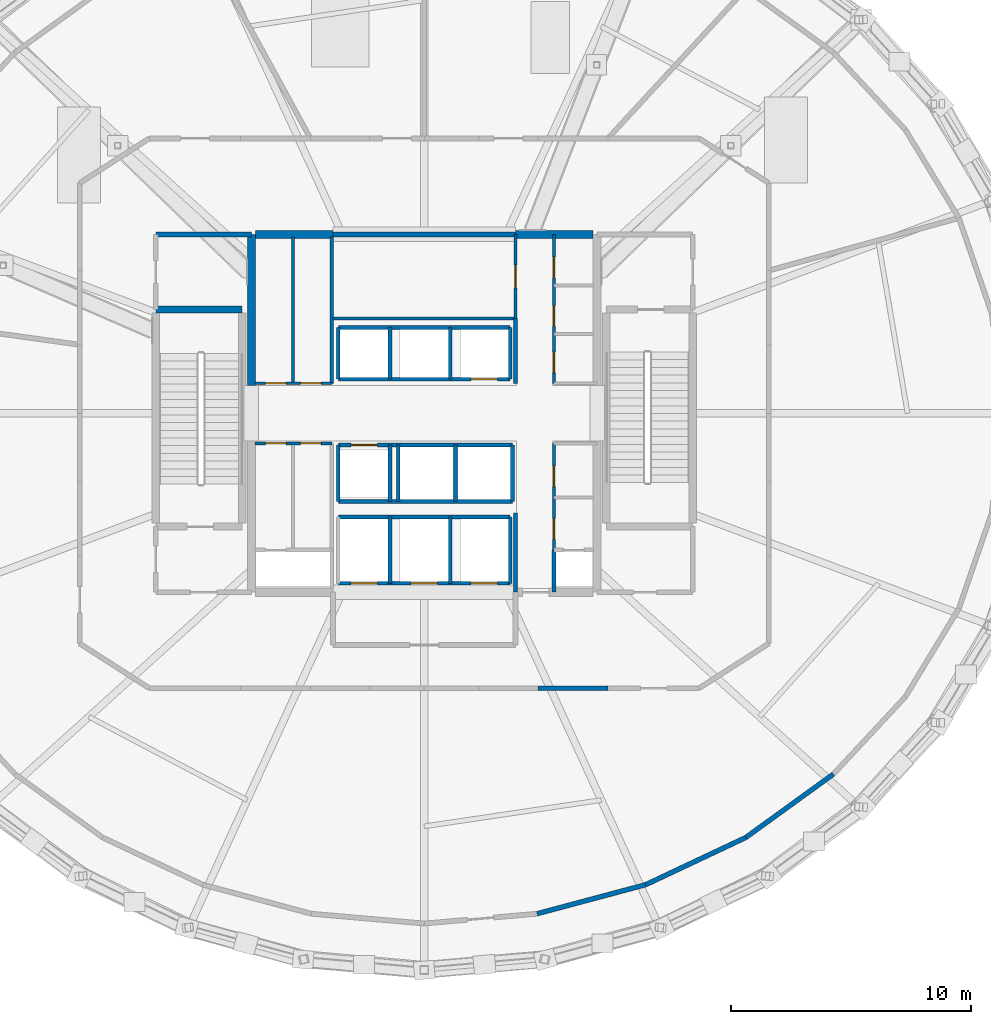
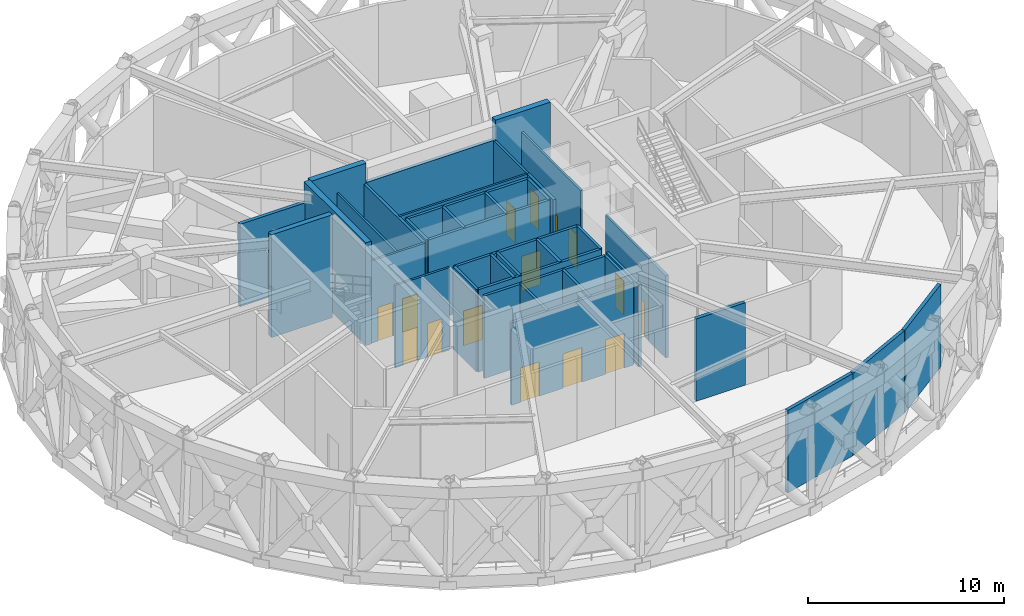
# One storey, part 9 of 15: 39 walls, 15 doors, 15 openings.
"""IFC4 building model written with IfcOpenShell, lengths in metres."""

from ifc_helpers import new_model, si_unit, direction, frame, frame_2d, origin, place, context, subcontext, project, spatial, rectangle, extrude, material, layer, layer_set, type_object, element, fill, save


model = new_model("IFC4")

# Units and contexts
model_context = context("Model", 3, precision=1e-05, world=origin(), true_north=direction((0.0, 1.0)))
body_context = subcontext(model_context, "Body", "Model", "MODEL_VIEW")
ifc_project = project(units=[si_unit("LENGTHUNIT", "METRE"), si_unit("AREAUNIT", "SQUARE_METRE"), si_unit("VOLUMEUNIT", "CUBIC_METRE"), si_unit("PLANEANGLEUNIT", "RADIAN"), si_unit("MASSUNIT", "GRAM", prefix="KILO")], contexts=[model_context])

# Site, building, storey
site_placement = place(None, origin())
site = spatial("IfcSite", under=ifc_project, at=site_placement, CompositionType="ELEMENT")
building_placement = place(site_placement, origin())
building = spatial("IfcBuilding", under=site, at=building_placement, Name="Veldorina Hangang Commons", CompositionType="ELEMENT")
storey_placement = place(building_placement, frame((0.0, 0.0, 208.39990234375)))
storey = spatial("IfcBuildingStorey", under=building, at=storey_placement, Name="L54", CompositionType="ELEMENT", Elevation=208.39990234375)

# Walls
ifc_material_1 = material(Name="Concrete C60/75", Category="concrete")
ifc_layer_1 = layer(ifc_material_1, 0.340087890625)
ifc_layer_set_1 = layer_set([ifc_layer_1], Name="Concrete C60/75")
wall_type_1 = type_object("IfcWallType", Name="CW-RC340-C60", PredefinedType="SHEAR", material=ifc_layer_set_1)
wall_1_placement = place(storey_placement, frame((24.800048828125, 25.14990234375, 0.0), z_axis=(0.0, 0.0, 1.0), x_axis=(0.0, 1.0, 0.0)))
element("IfcWall", 1, at=wall_1_placement, inside=storey, type_object=wall_type_1, Name="L54 W north core shear wall", PredefinedType="SHEAR", context=body_context, shape_type="SweptSolid", body=[
    extrude(rectangle(XDim=6.300048828125, YDim=0.340087890625, at=frame_2d((3.14990234375, 0.0))), origin(), (0.0, 0.0, 1.0), 6.400146484375),
])
for number, where, z_axis, x_axis, name in (
    (2, (24.969970703125, 31.449951171875, 0.0), (0.0, 0.0, 1.0), (1.0, 0.0, 0.0), "L54 north-west core shear wall"),
    (3, (35.800048828125, 31.449951171875, 0.0), (0.0, 0.0, 1.0), (1.0, 0.0, 0.0), "L54 north-east core shear wall"),
):
    element("IfcWall", number, at=place(storey_placement, frame(where, z_axis=z_axis, x_axis=x_axis)), inside=storey, type_object=wall_type_1, Name=name, PredefinedType="SHEAR", context=body_context, shape_type="SweptSolid", body=[
        extrude(rectangle(XDim=3.22998046875, YDim=0.340087890625, at=frame_2d((1.614990234375, 0.0))), origin(), (0.0, 0.0, 1.0), 6.400146484375),
    ])
ifc_material_2 = material(Name="Concrete C50/60", Category="concrete")
ifc_layer_2 = layer(ifc_material_2, 0.300048828125)
ifc_layer_set_2 = layer_set([ifc_layer_2], Name="Concrete C50/60")
wall_type_2 = type_object("IfcWallType", Name="SW-STAIR-300", PredefinedType="SHEAR", material=ifc_layer_set_2)
wall_2_placement = place(storey_placement, frame((20.820068359375, 28.320068359375, 0.0), z_axis=(0.0, 0.0, 1.0), x_axis=(1.0, 0.0, 0.0)))
element("IfcWall", 4, at=wall_2_placement, inside=storey, type_object=wall_type_2, Name="L54 ST1 north stair shear wall", PredefinedType="SHEAR", context=body_context, shape_type="SweptSolid", body=[
    extrude(rectangle(XDim=3.599853515625, YDim=0.300048828125, at=frame_2d((1.7998046875, 0.0))), origin(), (0.0, 0.0, 1.0), 6.400146484375),
])
ifc_material_3 = material(Name="Gypsum Fire-Rated Twin Stud Wall", Category="gypsum")
ifc_layer_3 = layer(ifc_material_3, 0.159912109375)
ifc_layer_set_3 = layer_set([ifc_layer_3], Name="Gypsum Fire-Rated Twin Stud Wall")
wall_type_3 = type_object("IfcWallType", Name="WL-FIRE-160", PredefinedType="SOLIDWALL", material=ifc_layer_set_3)
wall_3_placement = place(storey_placement, frame((35.800048828125, 16.550048828125, 0.0), z_axis=(0.0, 0.0, 1.0), x_axis=(0.0, 1.0, 0.0)))
element("IfcWall", 5, at=wall_3_placement, inside=storey, type_object=wall_type_3, Name="L54 Lift passage SW wall 009", PredefinedType="SOLIDWALL", context=body_context, shape_type="SweptSolid", body=[
    extrude(rectangle(XDim=3.300048828125, YDim=0.159912109375, at=frame_2d((1.64990234375, 0.0))), origin(), (0.0, 0.0, 1.0), 5.130126953125),
])
wall_4_placement = place(storey_placement, frame((37.39990234375, 16.550048828125, 0.0), z_axis=(0.0, 0.0, 1.0), x_axis=(0.0, 1.0, 0.0)))
element("IfcWall", 6, at=wall_4_placement, inside=storey, type_object=wall_type_3, Name="L54 Lift passage SE stub 010", PredefinedType="SOLIDWALL", context=body_context, shape_type="SweptSolid", body=[
    extrude(rectangle(XDim=1.75, YDim=0.159912109375, at=frame_2d((0.875, 0.0))), origin(), (0.0, 0.0, 1.0), 5.130126953125),
])
wall_5_placement = place(storey_placement, frame((35.800048828125, 25.25, 0.0), z_axis=(0.0, 0.0, 1.0), x_axis=(0.0, 1.0, 0.0)))
element("IfcWall", 7, at=wall_5_placement, inside=storey, type_object=wall_type_3, Name="L54 Lift passage NW lower wall 011", PredefinedType="SOLIDWALL", context=body_context, shape_type="SweptSolid", body=[
    extrude(rectangle(XDim=2.699951171875, YDim=0.159912109375, at=frame_2d((1.35009765625, 0.0))), origin(), (0.0, 0.0, 1.0), 5.130126953125),
])

# Wall, opening, door
wall_6_placement = place(storey_placement, frame((28.419921875, 25.419921875, 0.0), z_axis=(0.0, 0.0, 1.0), x_axis=(1.0, 0.0, 0.0)))
wall_6 = element("IfcWall", 8, at=wall_6_placement, inside=storey, type_object=wall_type_3, Name="L54 Mid-high front shaft wall 015", PredefinedType="SOLIDWALL", context=body_context, shape_type="SweptSolid", body=[
    extrude(rectangle(XDim=7.16015625, YDim=0.159912109375, at=frame_2d((3.580078125, 0.0))), origin(), (0.0, 0.0, 1.0), 5.130126953125),
])
opening_1_placement = place(wall_6_placement, frame((5.530029296875, 0.0, 0.0)))
opening_1 = element("IfcOpeningElement", 9, at=opening_1_placement, cuts=wall_6, Name="Opening LD-01", PredefinedType="OPENING", context=body_context, shape_type="SweptSolid", body=[
    extrude(rectangle(XDim=1.10009765625, YDim=2.14990234375, at=frame_2d((0.550048828125, 1.074951171875))), frame((0.0, 0.08984375, 0.0), z_axis=(0.0, -1.0, 0.0), x_axis=(1.0, 0.0, 0.0)), (0.0, 0.0, 1.0), 0.179931640625),
])
ifc_material_4 = material(Name="Stainless Steel Brushed Lift Door", Category="steel")
door_type_1 = type_object("IfcDoorType", Name="DR-LIFT-1100", OperationType="SLIDING_TO_LEFT", PredefinedType="DOOR", material=ifc_material_4)
door_1_placement = place(opening_1_placement, origin())
door_1 = element("IfcDoor", 10, at=door_1_placement, inside=storey, type_object=door_type_1, Name="L54 Lift PL-H1 landing door 007", OperationType="SLIDING_TO_RIGHT", OverallHeight=2.14990234375, OverallWidth=1.10009765625, PredefinedType="DOOR", context=body_context, shape_type="SweptSolid", body=[
    extrude(rectangle(XDim=1.10009765625, YDim=2.14990234375, at=frame_2d((0.550048828125, 1.074951171875))), frame((0.0, 0.02490234375, 0.0), z_axis=(0.0, -1.0, 0.0), x_axis=(1.0, 0.0, 0.0)), (0.0, 0.0, 1.0), 0.050048828125),
])
fill(opening_1, door_1)

# Walls
wall_7_placement = place(storey_placement, frame((28.419921875, 27.580078125, 0.0), z_axis=(0.0, 0.0, 1.0), x_axis=(1.0, 0.0, 0.0)))
element("IfcWall", 11, at=wall_7_placement, inside=storey, type_object=wall_type_3, Name="L54 Mid-high rear shaft wall 016", PredefinedType="SOLIDWALL", context=body_context, shape_type="SweptSolid", body=[
    extrude(rectangle(XDim=7.16015625, YDim=0.159912109375, at=frame_2d((3.580078125, 0.0))), origin(), (0.0, 0.0, 1.0), 5.130126953125),
])
for number, where, z_axis, x_axis, name in (
    (12, (28.419921875, 25.419921875, 0.0), (0.0, 0.0, 1.0), (0.0, 1.0, 0.0), "L54 PL-M1 west shaft wall 017"),
    (13, (30.580078125, 25.419921875, 0.0), (0.0, 0.0, 1.0), (0.0, 1.0, 0.0), "L54 PL-M1 east shaft wall 018"),
    (14, (33.080078125, 25.419921875, 0.0), (0.0, 0.0, 1.0), (0.0, 1.0, 0.0), "L54 PL-M2 east shaft wall 019"),
    (15, (35.580078125, 25.419921875, 0.0), (0.0, 0.0, 1.0), (0.0, 1.0, 0.0), "L54 PL-H1 east shaft wall 020"),
):
    element("IfcWall", number, at=place(storey_placement, frame(where, z_axis=z_axis, x_axis=x_axis)), inside=storey, type_object=wall_type_3, Name=name, PredefinedType="SOLIDWALL", context=body_context, shape_type="SweptSolid", body=[
        extrude(rectangle(XDim=2.16015625, YDim=0.159912109375, at=frame_2d((1.080078125, 0.0))), origin(), (0.0, 0.0, 1.0), 5.130126953125),
    ])

# Wall, opening, door
wall_8_placement = place(storey_placement, frame((28.419921875, 22.679931640625, 0.0), z_axis=(0.0, 0.0, 1.0), x_axis=(1.0, 0.0, 0.0)))
wall_8 = element("IfcWall", 16, at=wall_8_placement, inside=storey, type_object=wall_type_3, Name="L54 Shuttle-high front shaft wall 021", PredefinedType="SOLIDWALL", context=body_context, shape_type="SweptSolid", body=[
    extrude(rectangle(XDim=7.260009765625, YDim=0.159912109375, at=frame_2d((3.6298828125, 0.0))), origin(), (0.0, 0.0, 1.0), 5.130126953125),
])
opening_2_placement = place(wall_8_placement, frame((0.530029296875, 0.0, 0.0)))
opening_2 = element("IfcOpeningElement", 17, at=opening_2_placement, cuts=wall_8, Name="Opening LD-01", PredefinedType="OPENING", context=body_context, shape_type="SweptSolid", body=[
    extrude(rectangle(XDim=1.10009765625, YDim=2.14990234375, at=frame_2d((0.550048828125, 1.074951171875))), frame((0.0, 0.08984375, 0.0), z_axis=(0.0, -1.0, 0.0), x_axis=(1.0, 0.0, 0.0)), (0.0, 0.0, 1.0), 0.179931640625),
])
door_2_placement = place(opening_2_placement, origin())
door_2 = element("IfcDoor", 18, at=door_2_placement, inside=storey, type_object=door_type_1, Name="L54 Lift PL-H2 landing door 008", OperationType="SLIDING_TO_LEFT", OverallHeight=2.14990234375, OverallWidth=1.10009765625, PredefinedType="DOOR", context=body_context, shape_type="SweptSolid", body=[
    extrude(rectangle(XDim=1.10009765625, YDim=2.14990234375, at=frame_2d((0.550048828125, 1.074951171875))), frame((0.0, 0.02490234375, 0.0), z_axis=(0.0, -1.0, 0.0), x_axis=(1.0, 0.0, 0.0)), (0.0, 0.0, 1.0), 0.050048828125),
])
fill(opening_2, door_2)

# Walls
wall_9_placement = place(storey_placement, frame((28.419921875, 20.320068359375, 0.0), z_axis=(0.0, 0.0, 1.0), x_axis=(1.0, 0.0, 0.0)))
element("IfcWall", 19, at=wall_9_placement, inside=storey, type_object=wall_type_3, Name="L54 Shuttle-high rear shaft wall 022", PredefinedType="SOLIDWALL", context=body_context, shape_type="SweptSolid", body=[
    extrude(rectangle(XDim=7.260009765625, YDim=0.159912109375, at=frame_2d((3.6298828125, 0.0))), origin(), (0.0, 0.0, 1.0), 5.130126953125),
])
for number, where, z_axis, x_axis, name in (
    (20, (28.419921875, 20.320068359375, 0.0), (0.0, 0.0, 1.0), (0.0, 1.0, 0.0), "L54 PL-H2 west shaft wall 023"),
    (21, (30.580078125, 20.320068359375, 0.0), (0.0, 0.0, 1.0), (0.0, 1.0, 0.0), "L54 PL-H2 east shaft wall 024"),
    (22, (30.919921875, 20.320068359375, 0.0), (0.0, 0.0, 1.0), (0.0, 1.0, 0.0), "L54 SL-1 west shaft wall 025"),
    (23, (33.300048828125, 20.320068359375, 0.0), (0.0, 0.0, 1.0), (0.0, 1.0, 0.0), "L54 SL-1 east shaft wall 026"),
    (24, (35.679931640625, 20.320068359375, 0.0), (0.0, 0.0, 1.0), (0.0, 1.0, 0.0), "L54 SL-2 east shaft wall 027"),
):
    element("IfcWall", number, at=place(storey_placement, frame(where, z_axis=z_axis, x_axis=x_axis)), inside=storey, type_object=wall_type_3, Name=name, PredefinedType="SOLIDWALL", context=body_context, shape_type="SweptSolid", body=[
        extrude(rectangle(XDim=2.35986328125, YDim=0.159912109375, at=frame_2d((1.179931640625, 0.0))), origin(), (0.0, 0.0, 1.0), 5.130126953125),
    ])

# Wall, openings, doors
wall_10_placement = place(storey_placement, frame((28.419921875, 16.919921875, 0.0), z_axis=(0.0, 0.0, 1.0), x_axis=(1.0, 0.0, 0.0)))
wall_10 = element("IfcWall", 25, at=wall_10_placement, inside=storey, type_object=wall_type_3, Name="L54 Emergency front shaft wall 028", PredefinedType="SOLIDWALL", context=body_context, shape_type="SweptSolid", body=[
    extrude(rectangle(XDim=7.16015625, YDim=0.159912109375, at=frame_2d((3.580078125, 0.0))), origin(), (0.0, 0.0, 1.0), 5.130126953125),
])
opening_3_placement = place(wall_10_placement, frame((0.530029296875, 0.0, 0.0)))
opening_3 = element("IfcOpeningElement", 26, at=opening_3_placement, cuts=wall_10, Name="Opening LD-03", PredefinedType="OPENING", context=body_context, shape_type="SweptSolid", body=[
    extrude(rectangle(XDim=1.10009765625, YDim=2.14990234375, at=frame_2d((0.550048828125, 1.074951171875))), frame((0.0, 0.08984375, 0.0), z_axis=(0.0, -1.0, 0.0), x_axis=(1.0, 0.0, 0.0)), (0.0, 0.0, 1.0), 0.179931640625),
])
opening_4_placement = place(wall_10_placement, frame((3.030029296875, 0.0, 0.0)))
opening_4 = element("IfcOpeningElement", 27, at=opening_4_placement, cuts=wall_10, Name="Opening LD-03", PredefinedType="OPENING", context=body_context, shape_type="SweptSolid", body=[
    extrude(rectangle(XDim=1.10009765625, YDim=2.14990234375, at=frame_2d((0.550048828125, 1.074951171875))), frame((0.0, 0.08984375, 0.0), z_axis=(0.0, -1.0, 0.0), x_axis=(1.0, 0.0, 0.0)), (0.0, 0.0, 1.0), 0.179931640625),
])
opening_5_placement = place(wall_10_placement, frame((5.530029296875, 0.0, 0.0)))
opening_5 = element("IfcOpeningElement", 28, at=opening_5_placement, cuts=wall_10, Name="Opening LD-03", PredefinedType="OPENING", context=body_context, shape_type="SweptSolid", body=[
    extrude(rectangle(XDim=1.10009765625, YDim=2.14990234375, at=frame_2d((0.550048828125, 1.074951171875))), frame((0.0, 0.08984375, 0.0), z_axis=(0.0, -1.0, 0.0), x_axis=(1.0, 0.0, 0.0)), (0.0, 0.0, 1.0), 0.179931640625),
])
ifc_material_5 = material(Name="Stainless Steel Firefighting Lift Door", Category="steel")
door_type_2 = type_object("IfcDoorType", Name="DR-LIFT-FF1100", OperationType="SLIDING_TO_RIGHT", PredefinedType="DOOR", material=ifc_material_5)
door_3_placement = place(opening_3_placement, origin())
door_3 = element("IfcDoor", 29, at=door_3_placement, inside=storey, type_object=door_type_2, Name="L54 Emergency lift FFL-1 landing door 009", OperationType="SLIDING_TO_RIGHT", OverallHeight=2.14990234375, OverallWidth=1.10009765625, PredefinedType="DOOR", context=body_context, shape_type="SweptSolid", body=[
    extrude(rectangle(XDim=1.10009765625, YDim=2.14990234375, at=frame_2d((0.550048828125, 1.074951171875))), frame((0.0, 0.02490234375, 0.0), z_axis=(0.0, -1.0, 0.0), x_axis=(1.0, 0.0, 0.0)), (0.0, 0.0, 1.0), 0.050048828125),
])
fill(opening_3, door_3)
door_4_placement = place(opening_4_placement, origin())
door_4 = element("IfcDoor", 30, at=door_4_placement, inside=storey, type_object=door_type_2, Name="L54 Emergency lift FFL-2 landing door 010", OperationType="SLIDING_TO_RIGHT", OverallHeight=2.14990234375, OverallWidth=1.10009765625, PredefinedType="DOOR", context=body_context, shape_type="SweptSolid", body=[
    extrude(rectangle(XDim=1.10009765625, YDim=2.14990234375, at=frame_2d((0.550048828125, 1.074951171875))), frame((0.0, 0.02490234375, 0.0), z_axis=(0.0, -1.0, 0.0), x_axis=(1.0, 0.0, 0.0)), (0.0, 0.0, 1.0), 0.050048828125),
])
fill(opening_4, door_4)
door_5_placement = place(opening_5_placement, origin())
door_5 = element("IfcDoor", 31, at=door_5_placement, inside=storey, type_object=door_type_2, Name="L54 Emergency lift EVL-1 landing door 011", OperationType="SLIDING_TO_RIGHT", OverallHeight=2.14990234375, OverallWidth=1.10009765625, PredefinedType="DOOR", context=body_context, shape_type="SweptSolid", body=[
    extrude(rectangle(XDim=1.10009765625, YDim=2.14990234375, at=frame_2d((0.550048828125, 1.074951171875))), frame((0.0, 0.02490234375, 0.0), z_axis=(0.0, -1.0, 0.0), x_axis=(1.0, 0.0, 0.0)), (0.0, 0.0, 1.0), 0.050048828125),
])
fill(opening_5, door_5)

# Walls
wall_11_placement = place(storey_placement, frame((28.419921875, 19.679931640625, 0.0), z_axis=(0.0, 0.0, 1.0), x_axis=(1.0, 0.0, 0.0)))
element("IfcWall", 32, at=wall_11_placement, inside=storey, type_object=wall_type_3, Name="L54 Emergency rear shaft wall 029", PredefinedType="SOLIDWALL", context=body_context, shape_type="SweptSolid", body=[
    extrude(rectangle(XDim=7.16015625, YDim=0.159912109375, at=frame_2d((3.580078125, 0.0))), origin(), (0.0, 0.0, 1.0), 5.130126953125),
])
for number, where, z_axis, x_axis, name in (
    (33, (30.580078125, 16.919921875, 0.0), (0.0, 0.0, 1.0), (0.0, 1.0, 0.0), "L54 FFL-1 east shaft wall 031"),
    (34, (33.080078125, 16.919921875, 0.0), (0.0, 0.0, 1.0), (0.0, 1.0, 0.0), "L54 FFL-2 east shaft wall 032"),
    (35, (35.580078125, 16.919921875, 0.0), (0.0, 0.0, 1.0), (0.0, 1.0, 0.0), "L54 EVL-1 east shaft wall 033"),
):
    element("IfcWall", number, at=place(storey_placement, frame(where, z_axis=z_axis, x_axis=x_axis)), inside=storey, type_object=wall_type_3, Name=name, PredefinedType="SOLIDWALL", context=body_context, shape_type="SweptSolid", body=[
        extrude(rectangle(XDim=2.760009765625, YDim=0.159912109375, at=frame_2d((1.3798828125, 0.0))), origin(), (0.0, 0.0, 1.0), 5.130126953125),
    ])
wall_12_placement = place(storey_placement, frame((28.14990234375, 25.25, 0.0), z_axis=(0.0, 0.0, 1.0), x_axis=(0.0, 1.0, 0.0)))
element("IfcWall", 36, at=wall_12_placement, inside=storey, type_object=wall_type_3, Name="L54 NW core inner wall 040", PredefinedType="SOLIDWALL", context=body_context, shape_type="SweptSolid", body=[
    extrude(rectangle(XDim=6.10009765625, YDim=0.159912109375, at=frame_2d((3.050048828125, 0.0))), origin(), (0.0, 0.0, 1.0), 5.130126953125),
])
ifc_material_6 = material(Name="Concrete Blockwork Fire Wall C30/37", Category="masonry")
ifc_layer_4 = layer(ifc_material_6, 0.199951171875)
ifc_layer_set_4 = layer_set([ifc_layer_4], Name="Concrete Blockwork Fire Wall C30/37")
wall_type_4 = type_object("IfcWallType", Name="WL-FIRE-200", PredefinedType="SOLIDWALL", material=ifc_layer_set_4)
wall_13_placement = place(storey_placement, frame((20.820068359375, 31.449951171875, 0.0), z_axis=(0.0, 0.0, 1.0), x_axis=(1.0, 0.0, 0.0)))
element("IfcWall", 37, at=wall_13_placement, inside=storey, type_object=wall_type_4, Name="L54 NW core room north wall 006", PredefinedType="SOLIDWALL", context=body_context, shape_type="SweptSolid", body=[
    extrude(rectangle(XDim=3.97998046875, YDim=0.199951171875, at=frame_2d((1.989990234375, 0.0))), origin(), (0.0, 0.0, 1.0), 5.130126953125),
])
wall_14_placement = place(storey_placement, frame((28.199951171875, 31.449951171875, 0.0), z_axis=(0.0, 0.0, 1.0), x_axis=(1.0, 0.0, 0.0)))
element("IfcWall", 38, at=wall_14_placement, inside=storey, type_object=wall_type_4, Name="L54 Merged north core wall 034", PredefinedType="SOLIDWALL", context=body_context, shape_type="SweptSolid", body=[
    extrude(rectangle(XDim=7.60009765625, YDim=0.199951171875, at=frame_2d((3.800048828125, 0.0))), origin(), (0.0, 0.0, 1.0), 5.130126953125),
])
wall_15_placement = place(storey_placement, frame((36.70166015625, 3.158203125, 0.0), z_axis=(0.0, 0.0, 1.0), x_axis=(0.9660285601, 0.258435332473, 0.0)))
element("IfcWall", 39, at=wall_15_placement, inside=storey, type_object=wall_type_4, Name="L54 L54 wind-floor compartment wall 25 077", PredefinedType="SOLIDWALL", context=body_context, shape_type="SweptSolid", body=[
    extrude(rectangle(XDim=4.679931640625, YDim=0.199951171875, at=frame_2d((2.33984375, 0.0))), origin(), (0.0, 0.0, 1.0), 5.130126953125),
])
wall_16_placement = place(storey_placement, frame((41.22265625, 4.36767578125, 0.0), z_axis=(0.0, 0.0, 1.0), x_axis=(0.904574703116, 0.426315149253, 0.0)))
element("IfcWall", 40, at=wall_16_placement, inside=storey, type_object=wall_type_4, Name="L54 L54 wind-floor compartment wall 26 078", PredefinedType="SOLIDWALL", context=body_context, shape_type="SweptSolid", body=[
    extrude(rectangle(XDim=4.60595703125, YDim=0.199951171875, at=frame_2d((2.302978515625, 0.0))), origin(), (0.0, 0.0, 1.0), 5.130126953125),
])
wall_17_placement = place(storey_placement, frame((45.38916015625, 6.331298828125, 0.0), z_axis=(0.0, 0.0, 1.0), x_axis=(0.810131923704, 0.586247615088, 0.0)))
element("IfcWall", 41, at=wall_17_placement, inside=storey, type_object=wall_type_4, Name="L54 L54 wind-floor compartment wall 27 079", PredefinedType="SOLIDWALL", context=body_context, shape_type="SweptSolid", body=[
    extrude(rectangle(XDim=4.508056640625, YDim=0.199951171875, at=frame_2d((2.25390625, 0.0))), origin(), (0.0, 0.0, 1.0), 5.130126953125),
])
wall_18_placement = place(storey_placement, frame((36.74267578125, 12.550048828125, 0.0), z_axis=(0.0, 0.0, 1.0), x_axis=(1.0, 0.0, 0.0)))
element("IfcWall", 42, at=wall_18_placement, inside=storey, type_object=wall_type_4, Name="L54 Plant corridor wall 26 110", PredefinedType="SOLIDWALL", context=body_context, shape_type="SweptSolid", body=[
    extrude(rectangle(XDim=2.907958984375, YDim=0.199951171875, at=frame_2d((1.4541015625, 0.0))), origin(), (0.0, 0.0, 1.0), 5.130126953125),
])
ifc_material_7 = material(Name="Gypsum Acoustic Stud Partition", Category="gypsum")
ifc_layer_5 = layer(ifc_material_7, 0.1201171875)
ifc_layer_set_5 = layer_set([ifc_layer_5], Name="Gypsum Acoustic Stud Partition")
wall_type_5 = type_object("IfcWallType", Name="WL-PART-120", PredefinedType="PARTITIONING", material=ifc_layer_set_5)
wall_19_placement = place(storey_placement, frame((28.199951171875, 27.949951171875, 0.0), z_axis=(0.0, 0.0, 1.0), x_axis=(1.0, 0.0, 0.0)))
element("IfcWall", 43, at=wall_19_placement, inside=storey, type_object=wall_type_5, Name="L54 Merged north south wall 035", PredefinedType="PARTITIONING", context=body_context, shape_type="SweptSolid", body=[
    extrude(rectangle(XDim=7.60009765625, YDim=0.1201171875, at=frame_2d((3.800048828125, 0.0))), origin(), (0.0, 0.0, 1.0), 5.130126953125),
])

# Wall, opening, door
wall_20_placement = place(storey_placement, frame((35.800048828125, 27.949951171875, 0.0), z_axis=(0.0, 0.0, 1.0), x_axis=(0.0, 1.0, 0.0)))
wall_20 = element("IfcWall", 44, at=wall_20_placement, inside=storey, type_object=wall_type_5, Name="L54 Merged north east wall 036", PredefinedType="PARTITIONING", context=body_context, shape_type="SweptSolid", body=[
    extrude(rectangle(XDim=3.5, YDim=0.1201171875, at=frame_2d((1.75, 0.0))), origin(), (0.0, 0.0, 1.0), 5.130126953125),
])
opening_6_placement = place(wall_20_placement, frame((1.27490234375, 0.0, 0.0)))
opening_6 = element("IfcOpeningElement", 45, at=opening_6_placement, cuts=wall_20, Name="Opening D-02", PredefinedType="OPENING", context=body_context, shape_type="SweptSolid", body=[
    extrude(rectangle(XDim=0.949951171875, YDim=2.10009765625, at=frame_2d((0.47509765625, 1.050048828125))), frame((0.0, 0.070068359375, 0.0), z_axis=(0.0, -1.0, 0.0), x_axis=(1.0, 0.0, 0.0)), (0.0, 0.0, 1.0), 0.14013671875),
])
ifc_material_8 = material(Name="Timber Solid Core Acoustic", Category="wood")
door_type_3 = type_object("IfcDoorType", Name="DR-INT-950", OperationType="SINGLE_SWING_LEFT", PredefinedType="DOOR", material=ifc_material_8)
door_6_placement = place(opening_6_placement, origin())
door_6 = element("IfcDoor", 46, at=door_6_placement, inside=storey, type_object=door_type_3, Name="L54 Merged north room lobby door 012", OperationType="SINGLE_SWING_RIGHT", OverallHeight=2.10009765625, OverallWidth=0.949951171875, PredefinedType="DOOR", context=body_context, shape_type="SweptSolid", body=[
    extrude(rectangle(XDim=0.949951171875, YDim=2.10009765625, at=frame_2d((0.47509765625, 1.050048828125))), frame((0.0, 0.02490234375, 0.0), z_axis=(0.0, -1.0, 0.0), x_axis=(1.0, 0.0, 0.0)), (0.0, 0.0, 1.0), 0.050048828125),
])
fill(opening_6, door_6)

# Wall, openings, doors
wall_21_placement = place(storey_placement, frame((24.949951171875, 25.25, 0.0), z_axis=(0.0, 0.0, 1.0), x_axis=(1.0, 0.0, 0.0)))
wall_21 = element("IfcWall", 47, at=wall_21_placement, inside=storey, type_object=wall_type_5, Name="L54 NW service south wall 041", PredefinedType="PARTITIONING", context=body_context, shape_type="SweptSolid", body=[
    extrude(rectangle(XDim=3.199951171875, YDim=0.1201171875, at=frame_2d((1.60009765625, 0.0))), origin(), (0.0, 0.0, 1.0), 5.130126953125),
])
opening_7_placement = place(wall_21_placement, frame((0.43994140625, 0.0, 0.0)))
opening_7 = element("IfcOpeningElement", 48, at=opening_7_placement, cuts=wall_21, Name="Opening D-01", PredefinedType="OPENING", context=body_context, shape_type="SweptSolid", body=[
    extrude(rectangle(XDim=0.860107421875, YDim=2.10009765625, at=frame_2d((0.43017578125, 1.050048828125))), frame((0.0, 0.070068359375, 0.0), z_axis=(0.0, -1.0, 0.0), x_axis=(1.0, 0.0, 0.0)), (0.0, 0.0, 1.0), 0.14013671875),
])
opening_8_placement = place(wall_21_placement, frame((1.89990234375, 0.0, 0.0)))
opening_8 = element("IfcOpeningElement", 49, at=opening_8_placement, cuts=wall_21, Name="Opening D-01", PredefinedType="OPENING", context=body_context, shape_type="SweptSolid", body=[
    extrude(rectangle(XDim=0.860107421875, YDim=2.10009765625, at=frame_2d((0.43017578125, 1.050048828125))), frame((0.0, 0.070068359375, 0.0), z_axis=(0.0, -1.0, 0.0), x_axis=(1.0, 0.0, 0.0)), (0.0, 0.0, 1.0), 0.14013671875),
])
ifc_material_9 = material(Name="Timber Moisture-Resistant Core", Category="wood")
door_type_4 = type_object("IfcDoorType", Name="DR-WET-860", OperationType="SINGLE_SWING_LEFT", PredefinedType="DOOR", material=ifc_material_9)
door_7_placement = place(opening_7_placement, origin())
door_7 = element("IfcDoor", 50, at=door_7_placement, inside=storey, type_object=door_type_4, Name="L54 Linen west door 015", OperationType="SINGLE_SWING_LEFT", OverallHeight=2.10009765625, OverallWidth=0.860107421875, PredefinedType="DOOR", context=body_context, shape_type="SweptSolid", body=[
    extrude(rectangle(XDim=0.860107421875, YDim=2.10009765625, at=frame_2d((0.43017578125, 1.050048828125))), frame((0.0, 0.02490234375, 0.0), z_axis=(0.0, -1.0, 0.0), x_axis=(1.0, 0.0, 0.0)), (0.0, 0.0, 1.0), 0.050048828125),
])
fill(opening_7, door_7)
door_8_placement = place(opening_8_placement, origin())
door_8 = element("IfcDoor", 51, at=door_8_placement, inside=storey, type_object=door_type_4, Name="L54 Data closet door 016", OperationType="SINGLE_SWING_RIGHT", OverallHeight=2.10009765625, OverallWidth=0.860107421875, PredefinedType="DOOR", context=body_context, shape_type="SweptSolid", body=[
    extrude(rectangle(XDim=0.860107421875, YDim=2.10009765625, at=frame_2d((0.43017578125, 1.050048828125))), frame((0.0, 0.02490234375, 0.0), z_axis=(0.0, -1.0, 0.0), x_axis=(1.0, 0.0, 0.0)), (0.0, 0.0, 1.0), 0.050048828125),
])
fill(opening_8, door_8)

wall_22_placement = place(storey_placement, frame((24.949951171875, 22.75, 0.0), z_axis=(0.0, 0.0, 1.0), x_axis=(1.0, 0.0, 0.0)))
wall_22 = element("IfcWall", 52, at=wall_22_placement, inside=storey, type_object=wall_type_5, Name="L54 SW service north wall 042", PredefinedType="PARTITIONING", context=body_context, shape_type="SweptSolid", body=[
    extrude(rectangle(XDim=3.199951171875, YDim=0.1201171875, at=frame_2d((1.60009765625, 0.0))), origin(), (0.0, 0.0, 1.0), 5.130126953125),
])
opening_9_placement = place(wall_22_placement, frame((0.43994140625, 0.0, 0.0)))
opening_9 = element("IfcOpeningElement", 53, at=opening_9_placement, cuts=wall_22, Name="Opening D-01", PredefinedType="OPENING", context=body_context, shape_type="SweptSolid", body=[
    extrude(rectangle(XDim=0.860107421875, YDim=2.10009765625, at=frame_2d((0.43017578125, 1.050048828125))), frame((0.0, 0.070068359375, 0.0), z_axis=(0.0, -1.0, 0.0), x_axis=(1.0, 0.0, 0.0)), (0.0, 0.0, 1.0), 0.14013671875),
])
opening_10_placement = place(wall_22_placement, frame((1.89990234375, 0.0, 0.0)))
opening_10 = element("IfcOpeningElement", 54, at=opening_10_placement, cuts=wall_22, Name="Opening D-01", PredefinedType="OPENING", context=body_context, shape_type="SweptSolid", body=[
    extrude(rectangle(XDim=0.860107421875, YDim=2.10009765625, at=frame_2d((0.43017578125, 1.050048828125))), frame((0.0, 0.070068359375, 0.0), z_axis=(0.0, -1.0, 0.0), x_axis=(1.0, 0.0, 0.0)), (0.0, 0.0, 1.0), 0.14013671875),
])
door_9_placement = place(opening_9_placement, origin())
door_9 = element("IfcDoor", 55, at=door_9_placement, inside=storey, type_object=door_type_4, Name="L54 Cleaners door 017", OperationType="SINGLE_SWING_LEFT", OverallHeight=2.10009765625, OverallWidth=0.860107421875, PredefinedType="DOOR", context=body_context, shape_type="SweptSolid", body=[
    extrude(rectangle(XDim=0.860107421875, YDim=2.10009765625, at=frame_2d((0.43017578125, 1.050048828125))), frame((0.0, 0.02490234375, 0.0), z_axis=(0.0, -1.0, 0.0), x_axis=(1.0, 0.0, 0.0)), (0.0, 0.0, 1.0), 0.050048828125),
])
fill(opening_9, door_9)
door_10_placement = place(opening_10_placement, origin())
door_10 = element("IfcDoor", 56, at=door_10_placement, inside=storey, type_object=door_type_4, Name="L54 Metering door 018", OperationType="SINGLE_SWING_RIGHT", OverallHeight=2.10009765625, OverallWidth=0.860107421875, PredefinedType="DOOR", context=body_context, shape_type="SweptSolid", body=[
    extrude(rectangle(XDim=0.860107421875, YDim=2.10009765625, at=frame_2d((0.43017578125, 1.050048828125))), frame((0.0, 0.02490234375, 0.0), z_axis=(0.0, -1.0, 0.0), x_axis=(1.0, 0.0, 0.0)), (0.0, 0.0, 1.0), 0.050048828125),
])
fill(opening_10, door_10)

wall_23_placement = place(storey_placement, frame((37.39990234375, 25.25, 0.0), z_axis=(0.0, 0.0, 1.0), x_axis=(0.0, 1.0, 0.0)))
wall_23 = element("IfcWall", 57, at=wall_23_placement, inside=storey, type_object=wall_type_5, Name="L54 NE strip lobby wall 043", PredefinedType="PARTITIONING", context=body_context, shape_type="SweptSolid", body=[
    extrude(rectangle(XDim=6.199951171875, YDim=0.1201171875, at=frame_2d((3.10009765625, 0.0))), origin(), (0.0, 0.0, 1.0), 5.130126953125),
])
opening_11_placement = place(wall_23_placement, frame((0.43994140625, 0.0, 0.0)))
opening_11 = element("IfcOpeningElement", 58, at=opening_11_placement, cuts=wall_23, Name="Opening D-01", PredefinedType="OPENING", context=body_context, shape_type="SweptSolid", body=[
    extrude(rectangle(XDim=0.860107421875, YDim=2.10009765625, at=frame_2d((0.43017578125, 1.050048828125))), frame((0.0, 0.070068359375, 0.0), z_axis=(0.0, -1.0, 0.0), x_axis=(1.0, 0.0, 0.0)), (0.0, 0.0, 1.0), 0.14013671875),
])
opening_12_placement = place(wall_23_placement, frame((2.3701171875, 0.0, 0.0)))
opening_12 = element("IfcOpeningElement", 59, at=opening_12_placement, cuts=wall_23, Name="Opening D-01", PredefinedType="OPENING", context=body_context, shape_type="SweptSolid", body=[
    extrude(rectangle(XDim=0.860107421875, YDim=2.10009765625, at=frame_2d((0.43017578125, 1.050048828125))), frame((0.0, 0.070068359375, 0.0), z_axis=(0.0, -1.0, 0.0), x_axis=(1.0, 0.0, 0.0)), (0.0, 0.0, 1.0), 0.14013671875),
])
opening_13_placement = place(wall_23_placement, frame((4.389892578125, 0.0, 0.0)))
opening_13 = element("IfcOpeningElement", 60, at=opening_13_placement, cuts=wall_23, Name="Opening D-01", PredefinedType="OPENING", context=body_context, shape_type="SweptSolid", body=[
    extrude(rectangle(XDim=0.860107421875, YDim=2.10009765625, at=frame_2d((0.43017578125, 1.050048828125))), frame((0.0, 0.070068359375, 0.0), z_axis=(0.0, -1.0, 0.0), x_axis=(1.0, 0.0, 0.0)), (0.0, 0.0, 1.0), 0.14013671875),
])
door_11_placement = place(opening_11_placement, origin())
door_11 = element("IfcDoor", 61, at=door_11_placement, inside=storey, type_object=door_type_4, Name="L54 Fiber Riser Closet door 019", OperationType="SINGLE_SWING_LEFT", OverallHeight=2.10009765625, OverallWidth=0.860107421875, PredefinedType="DOOR", context=body_context, shape_type="SweptSolid", body=[
    extrude(rectangle(XDim=0.860107421875, YDim=2.10009765625, at=frame_2d((0.43017578125, 1.050048828125))), frame((0.0, 0.02490234375, 0.0), z_axis=(0.0, -1.0, 0.0), x_axis=(1.0, 0.0, 0.0)), (0.0, 0.0, 1.0), 0.050048828125),
])
fill(opening_11, door_11)
door_12_placement = place(opening_12_placement, origin())
door_12 = element("IfcDoor", 62, at=door_12_placement, inside=storey, type_object=door_type_4, Name="L54 AV Rack Closet door 020", OperationType="SINGLE_SWING_RIGHT", OverallHeight=2.10009765625, OverallWidth=0.860107421875, PredefinedType="DOOR", context=body_context, shape_type="SweptSolid", body=[
    extrude(rectangle(XDim=0.860107421875, YDim=2.10009765625, at=frame_2d((0.43017578125, 1.050048828125))), frame((0.0, 0.02490234375, 0.0), z_axis=(0.0, -1.0, 0.0), x_axis=(1.0, 0.0, 0.0)), (0.0, 0.0, 1.0), 0.050048828125),
])
fill(opening_12, door_12)
door_13_placement = place(opening_13_placement, origin())
door_13 = element("IfcDoor", 63, at=door_13_placement, inside=storey, type_object=door_type_4, Name="L54 Supply Closet door 021", OperationType="SINGLE_SWING_LEFT", OverallHeight=2.10009765625, OverallWidth=0.860107421875, PredefinedType="DOOR", context=body_context, shape_type="SweptSolid", body=[
    extrude(rectangle(XDim=0.860107421875, YDim=2.10009765625, at=frame_2d((0.43017578125, 1.050048828125))), frame((0.0, 0.02490234375, 0.0), z_axis=(0.0, -1.0, 0.0), x_axis=(1.0, 0.0, 0.0)), (0.0, 0.0, 1.0), 0.050048828125),
])
fill(opening_13, door_13)

wall_24_placement = place(storey_placement, frame((37.39990234375, 18.300048828125, 0.0), z_axis=(0.0, 0.0, 1.0), x_axis=(0.0, 1.0, 0.0)))
wall_24 = element("IfcWall", 64, at=wall_24_placement, inside=storey, type_object=wall_type_5, Name="L54 SE strip lobby wall 045", PredefinedType="PARTITIONING", context=body_context, shape_type="SweptSolid", body=[
    extrude(rectangle(XDim=4.449951171875, YDim=0.1201171875, at=frame_2d((2.22509765625, 0.0))), origin(), (0.0, 0.0, 1.0), 5.130126953125),
])
opening_14_placement = place(wall_24_placement, frame((0.449951171875, 0.0, 0.0)))
opening_14 = element("IfcOpeningElement", 65, at=opening_14_placement, cuts=wall_24, Name="Opening D-01", PredefinedType="OPENING", context=body_context, shape_type="SweptSolid", body=[
    extrude(rectangle(XDim=0.860107421875, YDim=2.10009765625, at=frame_2d((0.43017578125, 1.050048828125))), frame((0.0, 0.070068359375, 0.0), z_axis=(0.0, -1.0, 0.0), x_axis=(1.0, 0.0, 0.0)), (0.0, 0.0, 1.0), 0.14013671875),
])
opening_15_placement = place(wall_24_placement, frame((2.64990234375, 0.0, 0.0)))
opening_15 = element("IfcOpeningElement", 66, at=opening_15_placement, cuts=wall_24, Name="Opening D-01", PredefinedType="OPENING", context=body_context, shape_type="SweptSolid", body=[
    extrude(rectangle(XDim=0.860107421875, YDim=2.10009765625, at=frame_2d((0.43017578125, 1.050048828125))), frame((0.0, 0.070068359375, 0.0), z_axis=(0.0, -1.0, 0.0), x_axis=(1.0, 0.0, 0.0)), (0.0, 0.0, 1.0), 0.14013671875),
])
door_14_placement = place(opening_14_placement, origin())
door_14 = element("IfcDoor", 67, at=door_14_placement, inside=storey, type_object=door_type_4, Name="L54 Janitor sink door 022", OperationType="SINGLE_SWING_RIGHT", OverallHeight=2.10009765625, OverallWidth=0.860107421875, PredefinedType="DOOR", context=body_context, shape_type="SweptSolid", body=[
    extrude(rectangle(XDim=0.860107421875, YDim=2.10009765625, at=frame_2d((0.43017578125, 1.050048828125))), frame((0.0, 0.02490234375, 0.0), z_axis=(0.0, -1.0, 0.0), x_axis=(1.0, 0.0, 0.0)), (0.0, 0.0, 1.0), 0.050048828125),
])
fill(opening_14, door_14)
door_15_placement = place(opening_15_placement, origin())
door_15 = element("IfcDoor", 68, at=door_15_placement, inside=storey, type_object=door_type_4, Name="L54 Fire panel door 023", OperationType="SINGLE_SWING_LEFT", OverallHeight=2.10009765625, OverallWidth=0.860107421875, PredefinedType="DOOR", context=body_context, shape_type="SweptSolid", body=[
    extrude(rectangle(XDim=0.860107421875, YDim=2.10009765625, at=frame_2d((0.43017578125, 1.050048828125))), frame((0.0, 0.02490234375, 0.0), z_axis=(0.0, -1.0, 0.0), x_axis=(1.0, 0.0, 0.0)), (0.0, 0.0, 1.0), 0.050048828125),
])
fill(opening_15, door_15)

# Wall
wall_25_placement = place(storey_placement, frame((26.530029296875, 25.25, 0.0), z_axis=(0.0, 0.0, 1.0), x_axis=(0.0, 1.0, 0.0)))
element("IfcWall", 69, at=wall_25_placement, inside=storey, type_object=wall_type_5, Name="L54 NW vertical split 047", PredefinedType="PARTITIONING", context=body_context, shape_type="SweptSolid", body=[
    extrude(rectangle(XDim=6.10009765625, YDim=0.1201171875, at=frame_2d((3.050048828125, 0.0))), origin(), (0.0, 0.0, 1.0), 5.130126953125),
])

save(model, "model.ifc")
